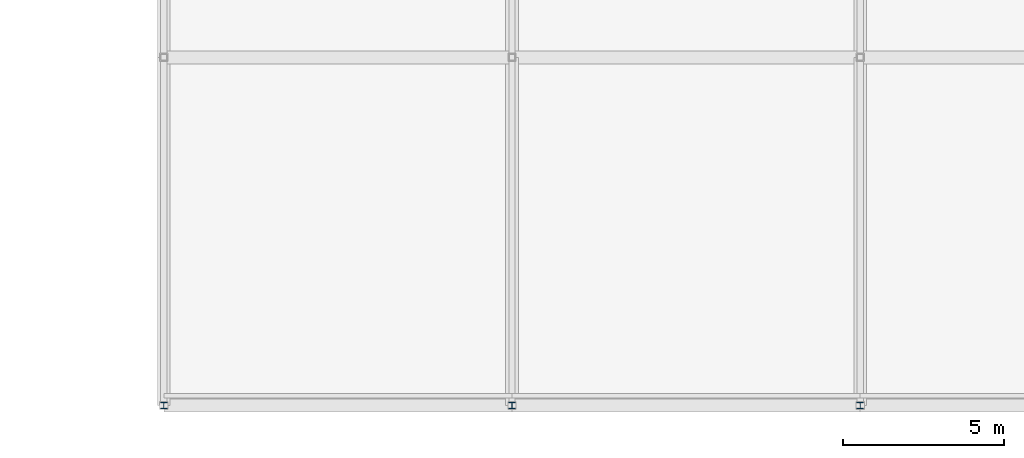
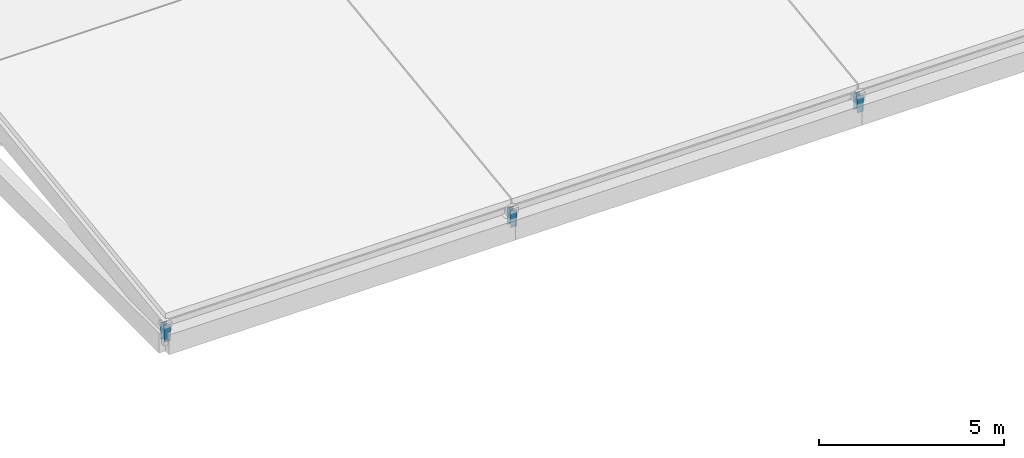
# One storey, part 83 of 112: 3 members.
"""IFC4 building model written with IfcOpenShell, lengths in metres."""

from ifc_helpers import new_model, si_unit, direction, frame, origin, origin_2d, place, context, subcontext, project, spatial, i_section, extrude, material, material_profile, profile_set, type_object, element, save


model = new_model("IFC4")

# Units and contexts
model_context = context("Model", 3, precision=1e-05, world=origin(), true_north=direction((0.0, 1.0)))
body_context = subcontext(model_context, "Body", "Model", "MODEL_VIEW")
ifc_project = project(units=[si_unit("LENGTHUNIT", "METRE"), si_unit("AREAUNIT", "SQUARE_METRE"), si_unit("VOLUMEUNIT", "CUBIC_METRE"), si_unit("PLANEANGLEUNIT", "RADIAN"), si_unit("MASSUNIT", "GRAM", prefix="KILO")], contexts=[model_context])

# Site, building, storey
site_placement = place(None, origin())
site = spatial("IfcSite", under=ifc_project, at=site_placement, CompositionType="ELEMENT")
building_placement = place(site_placement, origin())
building = spatial("IfcBuilding", under=site, at=building_placement, Name="Zwinboog Wholesale Market", CompositionType="ELEMENT")
storey_placement = place(building_placement, frame((0.0, 0.0, 19.080078125)))
storey = spatial("IfcBuildingStorey", under=building, at=storey_placement, Name="Roof", CompositionType="ELEMENT", Elevation=19.080078125)

# Members
ifc_material = material(Name="Steel S355", Category="steel")
ifc_material_profile = material_profile(ifc_material, i_section(OverallWidth=0.199951171875, OverallDepth=0.18994140625, WebThickness=0.006591796875, FlangeThickness=0.010009765625, FilletRadius=0.01806640625, at=origin_2d()), Name="HEA 200")
ifc_profile_set = profile_set([ifc_material_profile], Name="Steel S355")
member_type = type_object("IfcMemberType", Name="MT-05", PredefinedType="BRACE", material=ifc_profile_set)
for number, where, z_axis, x_axis, name in (
    (1, (129.60009765625, 0.0, -0.280029296875), (0.0, 0.0, 1.0), (1.0, 0.0, 0.0), "DB-02 (MEM-Roof-0899)"),
    (2, (140.39990234375, 0.0, -0.280029296875), (0.0, 0.0, 1.0), (1.0, 0.0, 0.0), "DB-02 (MEM-Roof-0905)"),
    (3, (151.199951171875, 0.0, -0.280029296875), (0.0, 0.0, 1.0), (1.0, 0.0, 0.0), "DB-02 (MEM-Roof-0911)"),
):
    element("IfcMember", number, at=place(storey_placement, frame(where, z_axis=z_axis, x_axis=x_axis)), inside=storey, type_object=member_type, Name=name, PredefinedType="BRACE", context=body_context, shape_type="SweptSolid", body=[
        extrude(i_section(OverallWidth=0.199951171875, OverallDepth=0.18994140625, WebThickness=0.006591796875, FlangeThickness=0.010009765625, FilletRadius=0.01806640625, at=origin_2d()), origin(), (0.0, 0.0, 1.0), 0.550048828125),
    ])

save(model, "model.ifc")
